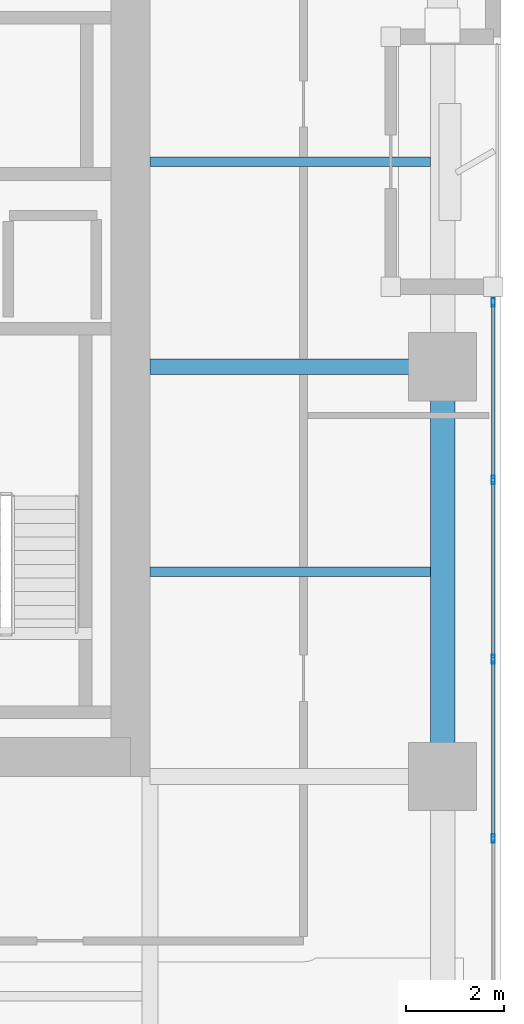
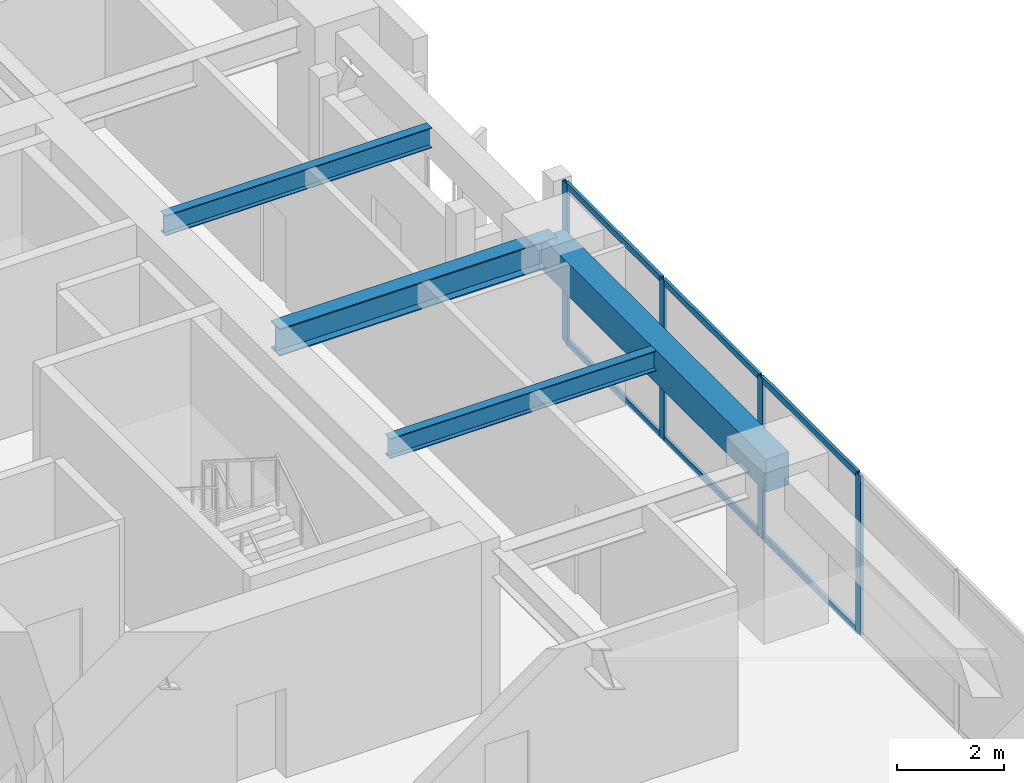
# One storey, part 6 of 24: 10 members, 4 beams, 1 element without a shape of its own.
"""IFC4 building model written with IfcOpenShell, lengths in metres."""

from ifc_helpers import new_model, si_unit, direction, frame, origin, origin_2d, place, context, subcontext, project, spatial, rectangle, hollow_rectangle, i_section, extrude, material, layer, layer_set, material_profile, profile_set, type_object, element, aggregate, save


model = new_model("IFC4")

# Units and contexts
model_context = context("Model", 3, precision=1e-05, world=origin(), true_north=direction((0.0, 1.0)))
body_context = subcontext(model_context, "Body", "Model", "MODEL_VIEW")
ifc_project = project(units=[si_unit("LENGTHUNIT", "METRE"), si_unit("AREAUNIT", "SQUARE_METRE"), si_unit("VOLUMEUNIT", "CUBIC_METRE"), si_unit("PLANEANGLEUNIT", "RADIAN"), si_unit("MASSUNIT", "GRAM", prefix="KILO")], contexts=[model_context])

# Site, building, storey
site_placement = place(None, origin())
site = spatial("IfcSite", under=ifc_project, at=site_placement, CompositionType="ELEMENT")
building_placement = place(site_placement, origin())
building = spatial("IfcBuilding", under=site, at=building_placement, Name="Kiyonajd Concourse Tower", CompositionType="ELEMENT")
storey_placement = place(building_placement, frame((0.0, 0.0, 93.60009765625)))
storey = spatial("IfcBuildingStorey", under=building, at=storey_placement, Name="L24", CompositionType="ELEMENT", Elevation=93.60009765625)

# Beams
ifc_material_1 = material(Name="Steel ASTM A992 Grade 50", Category="steel")
ifc_material_profile_1 = material_profile(ifc_material_1, i_section(OverallWidth=0.19189453125, OverallDepth=0.462890625, WebThickness=0.010498046875, FlangeThickness=0.017578125, at=origin_2d()), Name="W460X89")
ifc_profile_set_1 = profile_set([ifc_material_profile_1], Name="Steel ASTM A992 Grade 50")
beam_type_1 = type_object("IfcBeamType", Name="BM-JST-460B", PredefinedType="JOIST", material=ifc_profile_set_1)
for number, where, z_axis, x_axis, name in (
    (1, (63.60009765625, 31.800048828125, 3.408447265625), (1.0, 0.0, 0.0), (0.0, 1.0, 0.0), "L24 East Secondary Floor Joist"),
    (2, (63.60009765625, 40.199951171875, 3.408447265625), (1.0, 0.0, 0.0), (0.0, 1.0, 0.0), "L24 East Secondary Floor Joist"),
):
    element("IfcBeam", number, at=place(storey_placement, frame(where, z_axis=z_axis, x_axis=x_axis)), inside=storey, type_object=beam_type_1, Name=name, PredefinedType="JOIST", context=body_context, shape_type="SweptSolid", body=[
        extrude(i_section(OverallWidth=0.19189453125, OverallDepth=0.462890625, WebThickness=0.010498046875, FlangeThickness=0.017578125, at=origin_2d()), origin(), (0.0, 0.0, 1.0), 5.75),
    ])
ifc_material_2 = material(Name="Precast concrete C50/60", Category="concrete")
ifc_material_profile_2 = material_profile(ifc_material_2, rectangle(XDim=0.5, YDim=0.75, at=origin_2d()), Name="RCBM-500x750")
ifc_profile_set_2 = profile_set([ifc_material_profile_2], Name="Precast concrete C50/60")
beam_type_2 = type_object("IfcBeamType", Name="BM-SPAN-RC", PredefinedType="SPANDREL", material=ifc_profile_set_2)
beam_1_placement = place(storey_placement, frame((69.60009765625, 27.60009765625, 3.264892578125), z_axis=(0.0, 1.0, 0.0), x_axis=(-1.0, 0.0, 0.0)))
element("IfcBeam", 3, at=beam_1_placement, inside=storey, type_object=beam_type_2, Name="L24 Perimeter Bundled Tube Spandrel", PredefinedType="SPANDREL", context=body_context, shape_type="SweptSolid", body=[
    extrude(rectangle(XDim=0.5, YDim=0.75, at=origin_2d()), origin(), (0.0, 0.0, 1.0), 8.39990234375),
])
ifc_material_profile_3 = material_profile(ifc_material_1, i_section(OverallWidth=0.326904296875, OverallDepth=0.6220703125, WebThickness=0.015380859375, FlangeThickness=0.0244140625, at=origin_2d()), Name="W610X195")
ifc_profile_set_3 = profile_set([ifc_material_profile_3], Name="Steel ASTM A992 Grade 50")
beam_type_3 = type_object("IfcBeamType", Name="BM-TWR-610A", PredefinedType="BEAM", material=ifc_profile_set_3)
beam_2_placement = place(storey_placement, frame((63.60009765625, 36.0, 3.328857421875), z_axis=(1.0, 0.0, 0.0), x_axis=(0.0, 1.0, 0.0)))
element("IfcBeam", 4, at=beam_2_placement, inside=storey, type_object=beam_type_3, Name="L24 East Lease Girder", PredefinedType="BEAM", context=body_context, shape_type="SweptSolid", body=[
    extrude(i_section(OverallWidth=0.326904296875, OverallDepth=0.6220703125, WebThickness=0.015380859375, FlangeThickness=0.0244140625, at=origin_2d()), origin(), (0.0, 0.0, 1.0), 6.0),
])

# Curtain wall, members
ifc_material_3 = material(Name="Thermally Broken Anodised Aluminium", Category="aluminium")
ifc_layer = layer(ifc_material_3, 0.179931640625)
ifc_layer_set = layer_set([ifc_layer], Name="Thermally Broken Anodised Aluminium")
curtain_wall_type = type_object("IfcCurtainWallType", Name="CW-SYS-03", PredefinedType="NOTDEFINED", material=ifc_layer_set)
curtain_wall_placement = place(storey_placement, origin())
curtain_wall = element("IfcCurtainWall", 5, at=curtain_wall_placement, inside=storey, type_object=curtain_wall_type, Name="L24 Unitised Curtain Wall CW3", PredefinedType="NOTDEFINED")
ifc_material_profile_4 = material_profile(ifc_material_3, hollow_rectangle(XDim=0.06494140625, YDim=0.179931640625, WallThickness=0.00390625, at=origin_2d()), Name="MULL-65x180")
ifc_profile_set_4 = profile_set([ifc_material_profile_4], Name="Thermally Broken Anodised Aluminium")
member_type_1 = type_object("IfcMemberType", Name="MB-CW-MULL1", PredefinedType="MULLION", material=ifc_profile_set_4)
member_1_placement = place(storey_placement, frame((70.639892578125, 37.3173828125, 0.0), z_axis=(0.0, 0.0, 1.0), x_axis=(1.0, 0.0, 0.0)))
member_1 = element("IfcMember", 6, at=member_1_placement, type_object=member_type_1, Name="CW3 mullion 1", PredefinedType="MULLION", context=body_context, shape_type="SweptSolid", body=[
    extrude(hollow_rectangle(XDim=0.06494140625, YDim=0.179931640625, WallThickness=0.00390625, at=origin_2d()), origin(), (0.0, 0.0, 1.0), 3.639892578125),
])
member_2_placement = place(storey_placement, frame((70.639892578125, 33.6767578125, 0.0), z_axis=(0.0, 0.0, 1.0), x_axis=(1.0, 0.0, 0.0)))
member_2 = element("IfcMember", 7, at=member_2_placement, type_object=member_type_1, Name="CW3 mullion 2", PredefinedType="MULLION", context=body_context, shape_type="SweptSolid", body=[
    extrude(hollow_rectangle(XDim=0.06494140625, YDim=0.179931640625, WallThickness=0.00390625, at=origin_2d()), origin(), (0.0, 0.0, 1.0), 3.639892578125),
])
member_3_placement = place(storey_placement, frame((70.639892578125, 30.003662109375, 0.0), z_axis=(0.0, 0.0, 1.0), x_axis=(1.0, 0.0, 0.0)))
member_3 = element("IfcMember", 8, at=member_3_placement, type_object=member_type_1, Name="CW3 mullion 3", PredefinedType="MULLION", context=body_context, shape_type="SweptSolid", body=[
    extrude(hollow_rectangle(XDim=0.06494140625, YDim=0.179931640625, WallThickness=0.00390625, at=origin_2d()), origin(), (0.0, 0.0, 1.0), 3.639892578125),
])
member_4_placement = place(storey_placement, frame((70.639892578125, 26.33056640625, 0.0), z_axis=(0.0, 0.0, 1.0), x_axis=(1.0, 0.0, 0.0)))
member_4 = element("IfcMember", 9, at=member_4_placement, type_object=member_type_1, Name="CW3 mullion 4", PredefinedType="MULLION", context=body_context, shape_type="SweptSolid", body=[
    extrude(hollow_rectangle(XDim=0.06494140625, YDim=0.179931640625, WallThickness=0.00390625, at=origin_2d()), origin(), (0.0, 0.0, 1.0), 3.639892578125),
])
ifc_material_profile_5 = material_profile(ifc_material_3, hollow_rectangle(XDim=0.06494140625, YDim=0.139892578125, WallThickness=0.00390625, at=origin_2d()), Name="TRAN-65x140")
ifc_profile_set_5 = profile_set([ifc_material_profile_5], Name="Thermally Broken Anodised Aluminium")
member_type_2 = type_object("IfcMemberType", Name="MB-CW-TRAN1", PredefinedType="USERDEFINED", material=ifc_profile_set_5)
member_5_placement = place(storey_placement, frame((70.639892578125, 37.284912109375, 0.032470703125), z_axis=(0.0, -1.0, 0.0), x_axis=(1.0, 0.0, 0.0)))
member_5 = element("IfcMember", 10, at=member_5_placement, type_object=member_type_2, Name="CW3 transom 1.1", ObjectType="TRANSOM", PredefinedType="USERDEFINED", context=body_context, shape_type="SweptSolid", body=[
    extrude(hollow_rectangle(XDim=0.06494140625, YDim=0.139892578125, WallThickness=0.00390625, at=origin_2d()), origin(), (0.0, 0.0, 1.0), 3.57568359375),
])
member_6_placement = place(storey_placement, frame((70.639892578125, 37.284912109375, 3.607421875), z_axis=(0.0, -1.0, 0.0), x_axis=(1.0, 0.0, 0.0)))
member_6 = element("IfcMember", 11, at=member_6_placement, type_object=member_type_2, Name="CW3 transom 1.2", ObjectType="TRANSOM", PredefinedType="USERDEFINED", context=body_context, shape_type="SweptSolid", body=[
    extrude(hollow_rectangle(XDim=0.06494140625, YDim=0.139892578125, WallThickness=0.00390625, at=origin_2d()), origin(), (0.0, 0.0, 1.0), 3.57568359375),
])
member_7_placement = place(storey_placement, frame((70.639892578125, 33.644287109375, 0.032470703125), z_axis=(0.0, -1.0, 0.0), x_axis=(1.0, 0.0, 0.0)))
member_7 = element("IfcMember", 12, at=member_7_placement, type_object=member_type_2, Name="CW3 transom 2.1", ObjectType="TRANSOM", PredefinedType="USERDEFINED", context=body_context, shape_type="SweptSolid", body=[
    extrude(hollow_rectangle(XDim=0.06494140625, YDim=0.139892578125, WallThickness=0.00390625, at=origin_2d()), origin(), (0.0, 0.0, 1.0), 3.608154296875),
])
member_8_placement = place(storey_placement, frame((70.639892578125, 33.644287109375, 3.607421875), z_axis=(0.0, -1.0, 0.0), x_axis=(1.0, 0.0, 0.0)))
member_8 = element("IfcMember", 13, at=member_8_placement, type_object=member_type_2, Name="CW3 transom 2.2", ObjectType="TRANSOM", PredefinedType="USERDEFINED", context=body_context, shape_type="SweptSolid", body=[
    extrude(hollow_rectangle(XDim=0.06494140625, YDim=0.139892578125, WallThickness=0.00390625, at=origin_2d()), origin(), (0.0, 0.0, 1.0), 3.608154296875),
])
member_9_placement = place(storey_placement, frame((70.639892578125, 29.97119140625, 0.032470703125), z_axis=(0.0, -1.0, 0.0), x_axis=(1.0, 0.0, 0.0)))
member_9 = element("IfcMember", 14, at=member_9_placement, type_object=member_type_2, Name="CW3 transom 3.1", ObjectType="TRANSOM", PredefinedType="USERDEFINED", context=body_context, shape_type="SweptSolid", body=[
    extrude(hollow_rectangle(XDim=0.06494140625, YDim=0.139892578125, WallThickness=0.00390625, at=origin_2d()), origin(), (0.0, 0.0, 1.0), 3.608154296875),
])
member_10_placement = place(storey_placement, frame((70.639892578125, 29.97119140625, 3.607421875), z_axis=(0.0, -1.0, 0.0), x_axis=(1.0, 0.0, 0.0)))
member_10 = element("IfcMember", 15, at=member_10_placement, type_object=member_type_2, Name="CW3 transom 3.2", ObjectType="TRANSOM", PredefinedType="USERDEFINED", context=body_context, shape_type="SweptSolid", body=[
    extrude(hollow_rectangle(XDim=0.06494140625, YDim=0.139892578125, WallThickness=0.00390625, at=origin_2d()), origin(), (0.0, 0.0, 1.0), 3.608154296875),
])
aggregate(curtain_wall, [member_1, member_2, member_3, member_4, member_5, member_6, member_7, member_8, member_9, member_10])

save(model, "model.ifc")
